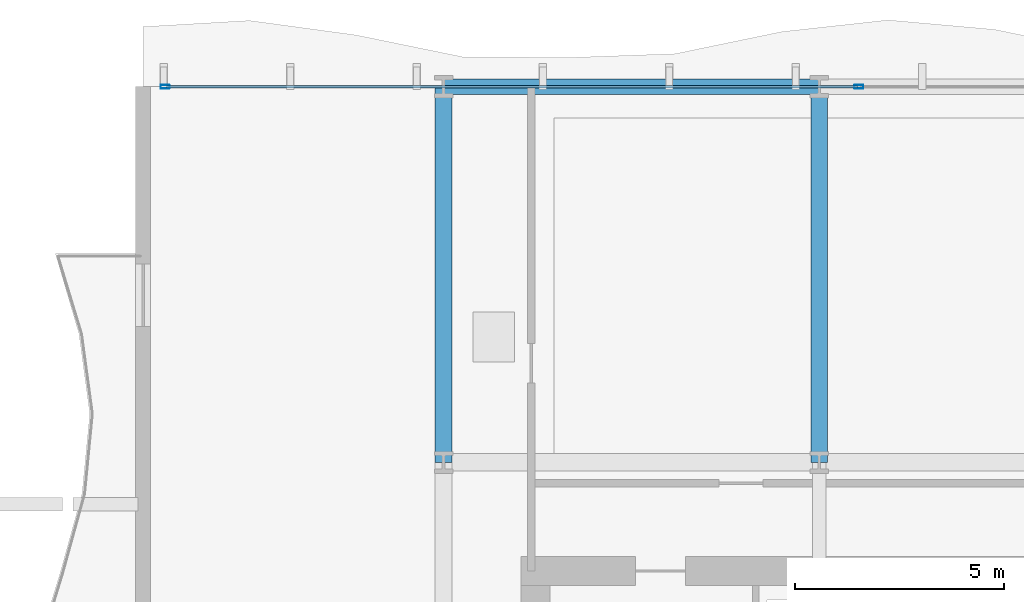
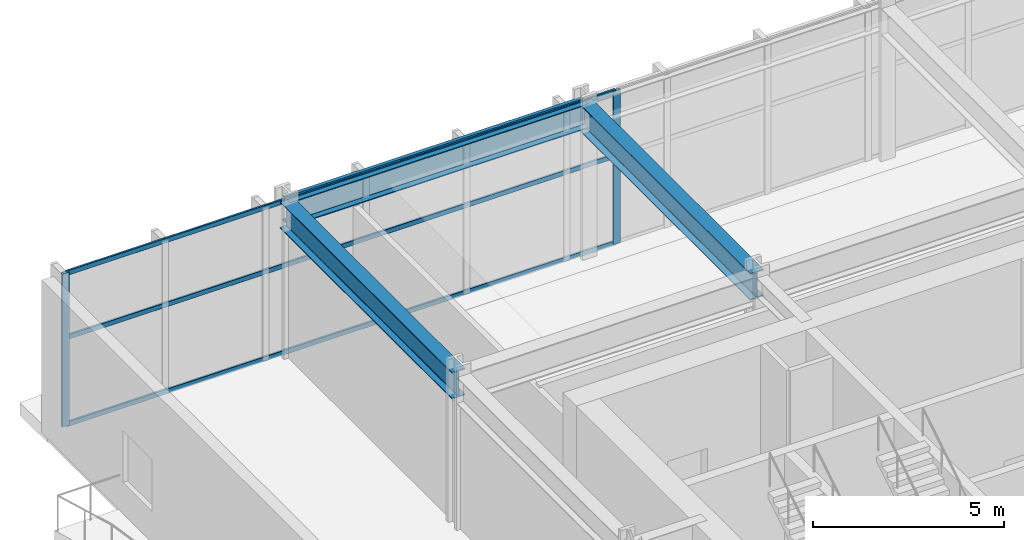
# One storey, part 12 of 33: 5 members, 3 beams, 1 element without a shape of its own.
"""IFC4 building model written with IfcOpenShell, lengths in metres."""

from ifc_helpers import new_model, si_unit, direction, frame, origin, origin_2d, place, context, subcontext, project, spatial, hollow_rectangle, i_section, extrude, material, layer, layer_set, material_profile, profile_set, type_object, element, aggregate, save


model = new_model("IFC4")

# Units and contexts
model_context = context("Model", 3, precision=1e-05, world=origin(), true_north=direction((0.0, 1.0)))
body_context = subcontext(model_context, "Body", "Model", "MODEL_VIEW")
ifc_project = project(units=[si_unit("LENGTHUNIT", "METRE"), si_unit("AREAUNIT", "SQUARE_METRE"), si_unit("VOLUMEUNIT", "CUBIC_METRE"), si_unit("PLANEANGLEUNIT", "RADIAN"), si_unit("MASSUNIT", "GRAM", prefix="KILO")], contexts=[model_context])

# Site, building, storey
site_placement = place(None, origin())
site = spatial("IfcSite", under=ifc_project, at=site_placement, CompositionType="ELEMENT")
building_placement = place(site_placement, origin())
building = spatial("IfcBuilding", under=site, at=building_placement, Name="Solvaryn Broadcast Tower", CompositionType="ELEMENT")
storey_placement = place(building_placement, frame((0.0, 0.0, 5.800048828125)))
storey = spatial("IfcBuildingStorey", under=building, at=storey_placement, Name="L01", CompositionType="ELEMENT", Elevation=5.800048828125)

# Beams
ifc_material_1 = material(Name="Steel ASTM A992 Grade 50", Category="steel")
ifc_material_profile_1 = material_profile(ifc_material_1, i_section(OverallWidth=0.39990234375, OverallDepth=0.85498046875, WebThickness=0.018310546875, FlangeThickness=0.029296875, FilletRadius=0.02001953125, at=origin_2d()))
ifc_profile_set_1 = profile_set([ifc_material_profile_1], Name="Steel ASTM A992 Grade 50")
beam_type_1 = type_object("IfcBeamType", Name="BM-G3-W33X201", PredefinedType="BEAM", material=ifc_profile_set_1)
for number, where, z_axis, x_axis, name in (
    (1, (9.0, 45.0, 4.452392578125), (0.0, 1.0, 0.0), (-1.0, 0.0, 0.0), "L01 Primary Beam Y (45-54 @ X=9)"),
    (2, (18.0, 45.0, 4.452392578125), (0.0, 1.0, 0.0), (-1.0, 0.0, 0.0), "L01 Primary Beam Y (45-54 @ X=18)"),
):
    element("IfcBeam", number, at=place(storey_placement, frame(where, z_axis=z_axis, x_axis=x_axis)), inside=storey, type_object=beam_type_1, Name=name, PredefinedType="BEAM", context=body_context, shape_type="SweptSolid", body=[
        extrude(i_section(OverallWidth=0.39990234375, OverallDepth=0.85498046875, WebThickness=0.018310546875, FlangeThickness=0.029296875, FilletRadius=0.02001953125, at=origin_2d()), origin(), (0.0, 0.0, 1.0), 9.0),
    ])
ifc_material_2 = material(Name="Steel ASTM A992 Grade 50", Category="steel")
ifc_material_profile_2 = material_profile(ifc_material_2, i_section(OverallWidth=0.381103515625, OverallDepth=0.77294921875, WebThickness=0.0166015625, FlangeThickness=0.027099609375, FilletRadius=0.01806640625, at=origin_2d()))
ifc_profile_set_2 = profile_set([ifc_material_profile_2], Name="Steel ASTM A992 Grade 50")
beam_type_2 = type_object("IfcBeamType", Name="BM-SP1-W30X173", PredefinedType="USERDEFINED", material=ifc_profile_set_2)
beam_placement = place(storey_placement, frame((9.0, 54.0, 4.493408203125), z_axis=(1.0, 0.0, 0.0), x_axis=(0.0, 1.0, 0.0)))
element("IfcBeam", 3, at=beam_placement, inside=storey, type_object=beam_type_2, Name="L01 Spandrel Beam X (9-18 @ Y=54)", ObjectType="SPANDREL", PredefinedType="USERDEFINED", context=body_context, shape_type="SweptSolid", body=[
    extrude(i_section(OverallWidth=0.381103515625, OverallDepth=0.77294921875, WebThickness=0.0166015625, FlangeThickness=0.027099609375, FilletRadius=0.01806640625, at=origin_2d()), origin(), (0.0, 0.0, 1.0), 9.0),
])

# Curtain wall, members
ifc_material_3 = material(Name="Aluminium and Terracotta Unitised Curtain Wall", Category="masonry")
ifc_layer = layer(ifc_material_3, 0.219970703125)
ifc_layer_set = layer_set([ifc_layer], Name="CW-SYS1-PODIUM")
curtain_wall_type = type_object("IfcCurtainWallType", Name="CW-SYS1-PODIUM", PredefinedType="NOTDEFINED", material=ifc_layer_set)
curtain_wall_placement = place(storey_placement, origin())
curtain_wall = element("IfcCurtainWall", 4, at=curtain_wall_placement, inside=storey, type_object=curtain_wall_type, Name="L01 Podium Curtain Wall N1", PredefinedType="NOTDEFINED")
ifc_material_4 = material(Name="Anodised Aluminium 6063-T6", Category="aluminium")
ifc_material_profile_3 = material_profile(ifc_material_4, hollow_rectangle(XDim=0.0849609375, YDim=0.219970703125, WallThickness=0.0048828125, InnerFilletRadius=0.0048828125, OuterFilletRadius=0.010009765625, at=origin_2d()))
ifc_profile_set_3 = profile_set([ifc_material_profile_3], Name="Anodised Aluminium 6063-T6")
member_type_1 = type_object("IfcMemberType", Name="CW-MUL-220", PredefinedType="MULLION", material=ifc_profile_set_3)
member_1_placement = place(storey_placement, frame((2.330078125, 54.0, 0.0), z_axis=(0.0, 0.0, 1.0), x_axis=(0.0, 1.0, 0.0)))
member_1 = element("IfcMember", 5, at=member_1_placement, type_object=member_type_1, Name="CWS1 mullion 1", PredefinedType="MULLION", context=body_context, shape_type="SweptSolid", body=[
    extrude(hollow_rectangle(XDim=0.0849609375, YDim=0.219970703125, WallThickness=0.0048828125, InnerFilletRadius=0.0048828125, OuterFilletRadius=0.010009765625, at=origin_2d()), origin(), (0.0, 0.0, 1.0), 4.8798828125),
])
member_2_placement = place(storey_placement, frame((18.949951171875, 54.0, 0.0), z_axis=(0.0, 0.0, 1.0), x_axis=(0.0, 1.0, 0.0)))
member_2 = element("IfcMember", 6, at=member_2_placement, type_object=member_type_1, Name="CWS1 mullion 2", PredefinedType="MULLION", context=body_context, shape_type="SweptSolid", body=[
    extrude(hollow_rectangle(XDim=0.0849609375, YDim=0.219970703125, WallThickness=0.0048828125, InnerFilletRadius=0.0048828125, OuterFilletRadius=0.010009765625, at=origin_2d()), origin(), (0.0, 0.0, 1.0), 4.8798828125),
])
ifc_material_5 = material(Name="Anodised Aluminium 6063-T6", Category="aluminium")
ifc_material_profile_4 = material_profile(ifc_material_5, hollow_rectangle(XDim=0.06494140625, YDim=0.14990234375, WallThickness=0.00390625, InnerFilletRadius=0.00390625, OuterFilletRadius=0.008056640625, at=origin_2d()))
ifc_profile_set_4 = profile_set([ifc_material_profile_4], Name="Anodised Aluminium 6063-T6")
member_type_2 = type_object("IfcMemberType", Name="CW-TRN-150", PredefinedType="USERDEFINED", material=ifc_profile_set_4)
member_3_placement = place(storey_placement, frame((2.360107421875, 54.0, 0.030029296875), z_axis=(1.0, 0.0, 0.0), x_axis=(0.0, 1.0, 0.0)))
member_3 = element("IfcMember", 7, at=member_3_placement, type_object=member_type_2, Name="CWS1 transom 1.1", ObjectType="TRANSOM", PredefinedType="USERDEFINED", context=body_context, shape_type="SweptSolid", body=[
    extrude(hollow_rectangle(XDim=0.06494140625, YDim=0.14990234375, WallThickness=0.00390625, InnerFilletRadius=0.00390625, OuterFilletRadius=0.008056640625, at=origin_2d()), origin(), (0.0, 0.0, 1.0), 16.559814453125),
])
member_4_placement = place(storey_placement, frame((2.360107421875, 54.0, 2.800048828125), z_axis=(1.0, 0.0, 0.0), x_axis=(0.0, 1.0, 0.0)))
member_4 = element("IfcMember", 8, at=member_4_placement, type_object=member_type_2, Name="CWS1 transom 1.2", ObjectType="TRANSOM", PredefinedType="USERDEFINED", context=body_context, shape_type="SweptSolid", body=[
    extrude(hollow_rectangle(XDim=0.06494140625, YDim=0.14990234375, WallThickness=0.00390625, InnerFilletRadius=0.00390625, OuterFilletRadius=0.008056640625, at=origin_2d()), origin(), (0.0, 0.0, 1.0), 16.559814453125),
])
member_5_placement = place(storey_placement, frame((2.360107421875, 54.0, 4.849853515625), z_axis=(1.0, 0.0, 0.0), x_axis=(0.0, 1.0, 0.0)))
member_5 = element("IfcMember", 9, at=member_5_placement, type_object=member_type_2, Name="CWS1 transom 1.3", ObjectType="TRANSOM", PredefinedType="USERDEFINED", context=body_context, shape_type="SweptSolid", body=[
    extrude(hollow_rectangle(XDim=0.06494140625, YDim=0.14990234375, WallThickness=0.00390625, InnerFilletRadius=0.00390625, OuterFilletRadius=0.008056640625, at=origin_2d()), origin(), (0.0, 0.0, 1.0), 16.559814453125),
])
aggregate(curtain_wall, [member_1, member_2, member_3, member_4, member_5])

save(model, "model.ifc")
